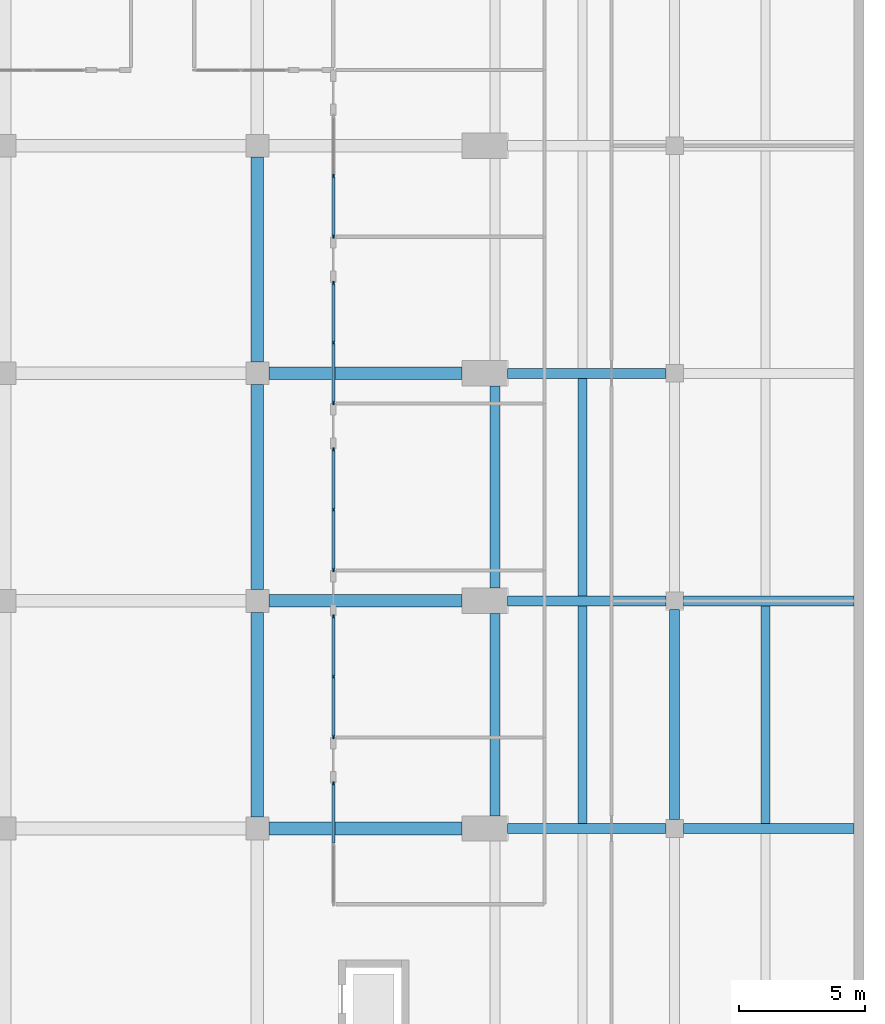
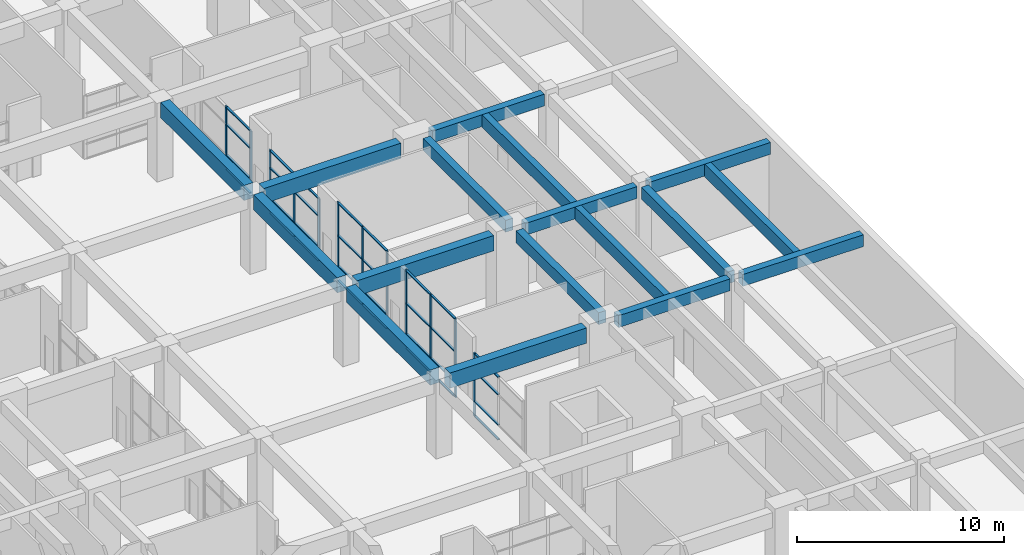
# One storey, part 8 of 29: 44 members, 17 beams, 5 elements without a shape of their own.
"""IFC4 building model written with IfcOpenShell, lengths in metres."""

from ifc_helpers import new_model, si_unit, direction, frame, origin, origin_2d, place, context, subcontext, project, spatial, rectangle, extrude, material, material_profile, profile_set, type_object, element, aggregate, save


model = new_model("IFC4")

# Units and contexts
model_context = context("Model", 3, precision=1e-05, world=origin(), true_north=direction((0.0, 1.0)))
body_context = subcontext(model_context, "Body", "Model", "MODEL_VIEW")
ifc_project = project(units=[si_unit("LENGTHUNIT", "METRE"), si_unit("AREAUNIT", "SQUARE_METRE"), si_unit("VOLUMEUNIT", "CUBIC_METRE"), si_unit("PLANEANGLEUNIT", "RADIAN"), si_unit("MASSUNIT", "GRAM", prefix="KILO")], contexts=[model_context])

# Site, building, storey
site_placement = place(None, origin())
site = spatial("IfcSite", under=ifc_project, at=site_placement, CompositionType="ELEMENT")
building_placement = place(site_placement, origin())
building = spatial("IfcBuilding", under=site, at=building_placement, Name="Elmora Arch Market Hall", CompositionType="ELEMENT")
storey_placement = place(building_placement, frame((0.0, 0.0, -5.0)))
storey = spatial("IfcBuildingStorey", under=building, at=storey_placement, Name="LG", CompositionType="ELEMENT", Elevation=-5.0)

# Beams
ifc_material_1 = material(Name="Concrete C32/40", Category="concrete")
ifc_material_profile_1 = material_profile(ifc_material_1, rectangle(XDim=0.5, YDim=0.89990234375, at=origin_2d()), Name="Basement girder 500x900")
ifc_profile_set_1 = profile_set([ifc_material_profile_1], Name="Concrete C32/40")
beam_type_1 = type_object("IfcBeamType", Name="Basement girder 500x900", PredefinedType="BEAM", material=ifc_profile_set_1)
for number, where, z_axis, x_axis, name in (
    (1, (34.449951171875, 54.0, 4.199951171875), (1.0, 0.0, 0.0), (0.0, 1.0, 0.0), "Basement girder HR4 LG.3"),
    (2, (34.449951171875, 63.0, 4.199951171875), (1.0, 0.0, 0.0), (0.0, 1.0, 0.0), "Basement girder HR5 LG.3"),
    (3, (34.449951171875, 72.0, 4.199951171875), (1.0, 0.0, 0.0), (0.0, 1.0, 0.0), "Basement girder HR6 LG.3"),
):
    element("IfcBeam", number, at=place(storey_placement, frame(where, z_axis=z_axis, x_axis=x_axis)), inside=storey, type_object=beam_type_1, Name=name, PredefinedType="BEAM", context=body_context, shape_type="SweptSolid", body=[
        extrude(rectangle(XDim=0.5, YDim=0.89990234375, at=origin_2d()), origin(), (0.0, 0.0, 1.0), 7.650146484375),
    ])
for number, where, z_axis, x_axis, name in (
    (4, (34.0, 54.449951171875, 4.199951171875), (0.0, 1.0, 0.0), (-1.0, 0.0, 0.0), "Basement girder HC2 LG.4"),
    (5, (34.0, 63.449951171875, 4.199951171875), (0.0, 1.0, 0.0), (-1.0, 0.0, 0.0), "Basement girder HC2 LG.5"),
    (6, (34.0, 72.449951171875, 4.199951171875), (0.0, 1.0, 0.0), (-1.0, 0.0, 0.0), "Basement girder HC2 LG.6"),
):
    element("IfcBeam", number, at=place(storey_placement, frame(where, z_axis=z_axis, x_axis=x_axis)), inside=storey, type_object=beam_type_1, Name=name, PredefinedType="BEAM", context=body_context, shape_type="SweptSolid", body=[
        extrude(rectangle(XDim=0.5, YDim=0.89990234375, at=origin_2d()), origin(), (0.0, 0.0, 1.0), 8.10009765625),
    ])

# Curtain wall, member
ifc_material_2 = material(Name="Aluminium", Category="aluminium")
curtain_wall_type = type_object("IfcCurtainWallType", Name="Lower ground shopfront curtain wall", PredefinedType="NOTDEFINED", material=ifc_material_2)
curtain_wall_1_placement = place(storey_placement, origin())
curtain_wall_1 = element("IfcCurtainWall", 7, at=curtain_wall_1_placement, inside=storey, type_object=curtain_wall_type, Name="Lower ground shopfront E1", PredefinedType="NOTDEFINED")
ifc_material_3 = material(Name="Aluminium", Category="aluminium")
ifc_material_profile_2 = material_profile(ifc_material_3, rectangle(XDim=0.06005859375, YDim=0.159912109375, at=origin_2d()), Name="AL 60x160")
ifc_profile_set_2 = profile_set([ifc_material_profile_2], Name="Aluminium")
member_type_1 = type_object("IfcMemberType", Name="Mullion 60x160", PredefinedType="MULLION", material=ifc_profile_set_2)
member_1_placement = place(storey_placement, frame((37.0, 55.77001953125, 0.0), z_axis=(0.0, 0.0, 1.0), x_axis=(-1.0, 0.0, 0.0)))
member_1 = element("IfcMember", 8, at=member_1_placement, type_object=member_type_1, Name="CW6 mullion 3", PredefinedType="MULLION", context=body_context, shape_type="SweptSolid", body=[
    extrude(rectangle(XDim=0.06005859375, YDim=0.159912109375, at=origin_2d()), origin(), (0.0, 0.0, 1.0), 3.75),
])

# Curtain wall, members
curtain_wall_2_placement = place(storey_placement, origin())
curtain_wall_2 = element("IfcCurtainWall", 9, at=curtain_wall_2_placement, inside=storey, type_object=curtain_wall_type, Name="Lower ground shopfront E2", PredefinedType="NOTDEFINED")
member_2_placement = place(storey_placement, frame((37.0, 57.6298828125, 0.0), z_axis=(0.0, 0.0, 1.0), x_axis=(-1.0, 0.0, 0.0)))
member_2 = element("IfcMember", 10, at=member_2_placement, type_object=member_type_1, Name="CW6 mullion 1", PredefinedType="MULLION", context=body_context, shape_type="SweptSolid", body=[
    extrude(rectangle(XDim=0.06005859375, YDim=0.159912109375, at=origin_2d()), origin(), (0.0, 0.0, 1.0), 4.64990234375),
])
member_3_placement = place(storey_placement, frame((37.0, 60.0, 0.0), z_axis=(0.0, 0.0, 1.0), x_axis=(-1.0, 0.0, 0.0)))
member_3 = element("IfcMember", 11, at=member_3_placement, type_object=member_type_1, Name="CW6 mullion 2", PredefinedType="MULLION", context=body_context, shape_type="SweptSolid", body=[
    extrude(rectangle(XDim=0.06005859375, YDim=0.159912109375, at=origin_2d()), origin(), (0.0, 0.0, 1.0), 4.64990234375),
])
member_4_placement = place(storey_placement, frame((37.0, 62.3701171875, 0.0), z_axis=(0.0, 0.0, 1.0), x_axis=(-1.0, 0.0, 0.0)))
member_4 = element("IfcMember", 12, at=member_4_placement, type_object=member_type_1, Name="CW6 mullion 3", PredefinedType="MULLION", context=body_context, shape_type="SweptSolid", body=[
    extrude(rectangle(XDim=0.06005859375, YDim=0.159912109375, at=origin_2d()), origin(), (0.0, 0.0, 1.0), 4.64990234375),
])

curtain_wall_3_placement = place(storey_placement, origin())
curtain_wall_3 = element("IfcCurtainWall", 13, at=curtain_wall_3_placement, inside=storey, type_object=curtain_wall_type, Name="Lower ground shopfront E3", PredefinedType="NOTDEFINED")
member_5_placement = place(storey_placement, frame((37.0, 64.22998046875, 0.0), z_axis=(0.0, 0.0, 1.0), x_axis=(-1.0, 0.0, 0.0)))
member_5 = element("IfcMember", 14, at=member_5_placement, type_object=member_type_1, Name="CW6 mullion 1", PredefinedType="MULLION", context=body_context, shape_type="SweptSolid", body=[
    extrude(rectangle(XDim=0.06005859375, YDim=0.159912109375, at=origin_2d()), origin(), (0.0, 0.0, 1.0), 4.64990234375),
])
member_6_placement = place(storey_placement, frame((37.0, 66.60009765625, 0.0), z_axis=(0.0, 0.0, 1.0), x_axis=(-1.0, 0.0, 0.0)))
member_6 = element("IfcMember", 15, at=member_6_placement, type_object=member_type_1, Name="CW6 mullion 2", PredefinedType="MULLION", context=body_context, shape_type="SweptSolid", body=[
    extrude(rectangle(XDim=0.06005859375, YDim=0.159912109375, at=origin_2d()), origin(), (0.0, 0.0, 1.0), 4.64990234375),
])
member_7_placement = place(storey_placement, frame((37.0, 68.969970703125, 0.0), z_axis=(0.0, 0.0, 1.0), x_axis=(-1.0, 0.0, 0.0)))
member_7 = element("IfcMember", 16, at=member_7_placement, type_object=member_type_1, Name="CW6 mullion 3", PredefinedType="MULLION", context=body_context, shape_type="SweptSolid", body=[
    extrude(rectangle(XDim=0.06005859375, YDim=0.159912109375, at=origin_2d()), origin(), (0.0, 0.0, 1.0), 4.64990234375),
])

curtain_wall_4_placement = place(storey_placement, origin())
curtain_wall_4 = element("IfcCurtainWall", 17, at=curtain_wall_4_placement, inside=storey, type_object=curtain_wall_type, Name="Lower ground shopfront E4", PredefinedType="NOTDEFINED")
member_8_placement = place(storey_placement, frame((37.0, 70.830078125, 0.0), z_axis=(0.0, 0.0, 1.0), x_axis=(-1.0, 0.0, 0.0)))
member_8 = element("IfcMember", 18, at=member_8_placement, type_object=member_type_1, Name="CW6 mullion 1", PredefinedType="MULLION", context=body_context, shape_type="SweptSolid", body=[
    extrude(rectangle(XDim=0.06005859375, YDim=0.159912109375, at=origin_2d()), origin(), (0.0, 0.0, 1.0), 3.75),
])
member_9_placement = place(storey_placement, frame((37.0, 73.199951171875, 0.0), z_axis=(0.0, 0.0, 1.0), x_axis=(-1.0, 0.0, 0.0)))
member_9 = element("IfcMember", 19, at=member_9_placement, type_object=member_type_1, Name="CW6 mullion 2", PredefinedType="MULLION", context=body_context, shape_type="SweptSolid", body=[
    extrude(rectangle(XDim=0.06005859375, YDim=0.159912109375, at=origin_2d()), origin(), (0.0, 0.0, 1.0), 3.75),
])
member_10_placement = place(storey_placement, frame((37.0, 75.570068359375, 0.0), z_axis=(0.0, 0.0, 1.0), x_axis=(-1.0, 0.0, 0.0)))
member_10 = element("IfcMember", 20, at=member_10_placement, type_object=member_type_1, Name="CW6 mullion 3", PredefinedType="MULLION", context=body_context, shape_type="SweptSolid", body=[
    extrude(rectangle(XDim=0.06005859375, YDim=0.159912109375, at=origin_2d()), origin(), (0.0, 0.0, 1.0), 3.75),
])

curtain_wall_5_placement = place(storey_placement, origin())
curtain_wall_5 = element("IfcCurtainWall", 21, at=curtain_wall_5_placement, inside=storey, type_object=curtain_wall_type, Name="Lower ground shopfront E5", PredefinedType="NOTDEFINED")
member_11_placement = place(storey_placement, frame((37.0, 77.429931640625, 0.0), z_axis=(0.0, 0.0, 1.0), x_axis=(-1.0, 0.0, 0.0)))
member_11 = element("IfcMember", 22, at=member_11_placement, type_object=member_type_1, Name="CW6 mullion 1", PredefinedType="MULLION", context=body_context, shape_type="SweptSolid", body=[
    extrude(rectangle(XDim=0.06005859375, YDim=0.159912109375, at=origin_2d()), origin(), (0.0, 0.0, 1.0), 3.75),
])
member_12_placement = place(storey_placement, frame((37.0, 79.800048828125, 0.0), z_axis=(0.0, 0.0, 1.0), x_axis=(-1.0, 0.0, 0.0)))
member_12 = element("IfcMember", 23, at=member_12_placement, type_object=member_type_1, Name="CW6 mullion 2", PredefinedType="MULLION", context=body_context, shape_type="SweptSolid", body=[
    extrude(rectangle(XDim=0.06005859375, YDim=0.159912109375, at=origin_2d()), origin(), (0.0, 0.0, 1.0), 3.75),
])

# Member
ifc_material_4 = material(Name="Aluminium", Category="aluminium")
ifc_material_profile_3 = material_profile(ifc_material_4, rectangle(XDim=0.1201171875, YDim=0.06005859375, at=origin_2d()), Name="AL 120x60")
ifc_profile_set_3 = profile_set([ifc_material_profile_3], Name="Aluminium")
member_type_2 = type_object("IfcMemberType", Name="Transom 120x60", PredefinedType="USERDEFINED", material=ifc_profile_set_3)
member_13_placement = place(storey_placement, frame((37.0, 53.429931640625, 0.030029296875), z_axis=(0.0, 1.0, 0.0), x_axis=(-1.0, 0.0, 0.0)))
member_13 = element("IfcMember", 24, at=member_13_placement, type_object=member_type_2, Name="CW6 transom 2.1", ObjectType="TRANSOM", PredefinedType="USERDEFINED", context=body_context, shape_type="SweptSolid", body=[
    extrude(rectangle(XDim=0.1201171875, YDim=0.06005859375, at=origin_2d()), origin(), (0.0, 0.0, 1.0), 2.31005859375),
])

member_14_placement = place(storey_placement, frame((37.0, 53.429931640625, 0.89990234375), z_axis=(0.0, 1.0, 0.0), x_axis=(-1.0, 0.0, 0.0)))
member_14 = element("IfcMember", 25, at=member_14_placement, type_object=member_type_2, Name="CW6 transom 2.2", ObjectType="TRANSOM", PredefinedType="USERDEFINED", context=body_context, shape_type="SweptSolid", body=[
    extrude(rectangle(XDim=0.1201171875, YDim=0.06005859375, at=origin_2d()), origin(), (0.0, 0.0, 1.0), 2.31005859375),
])

member_15_placement = place(storey_placement, frame((37.0, 53.429931640625, 2.699951171875), z_axis=(0.0, 1.0, 0.0), x_axis=(-1.0, 0.0, 0.0)))
member_15 = element("IfcMember", 26, at=member_15_placement, type_object=member_type_2, Name="CW6 transom 2.3", ObjectType="TRANSOM", PredefinedType="USERDEFINED", context=body_context, shape_type="SweptSolid", body=[
    extrude(rectangle(XDim=0.1201171875, YDim=0.06005859375, at=origin_2d()), origin(), (0.0, 0.0, 1.0), 2.31005859375),
])

member_16_placement = place(storey_placement, frame((37.0, 53.429931640625, 3.719970703125), z_axis=(0.0, 1.0, 0.0), x_axis=(-1.0, 0.0, 0.0)))
member_16 = element("IfcMember", 27, at=member_16_placement, type_object=member_type_2, Name="CW6 transom 2.4", ObjectType="TRANSOM", PredefinedType="USERDEFINED", context=body_context, shape_type="SweptSolid", body=[
    extrude(rectangle(XDim=0.1201171875, YDim=0.06005859375, at=origin_2d()), origin(), (0.0, 0.0, 1.0), 2.31005859375),
])

aggregate(curtain_wall_1, [member_1, member_13, member_14, member_15, member_16])

member_17_placement = place(storey_placement, frame((37.0, 57.659912109375, 0.030029296875), z_axis=(0.0, 1.0, 0.0), x_axis=(-1.0, 0.0, 0.0)))
member_17 = element("IfcMember", 28, at=member_17_placement, type_object=member_type_2, Name="CW6 transom 1.1", ObjectType="TRANSOM", PredefinedType="USERDEFINED", context=body_context, shape_type="SweptSolid", body=[
    extrude(rectangle(XDim=0.1201171875, YDim=0.06005859375, at=origin_2d()), origin(), (0.0, 0.0, 1.0), 2.31005859375),
])

member_18_placement = place(storey_placement, frame((37.0, 57.659912109375, 0.89990234375), z_axis=(0.0, 1.0, 0.0), x_axis=(-1.0, 0.0, 0.0)))
member_18 = element("IfcMember", 29, at=member_18_placement, type_object=member_type_2, Name="CW6 transom 1.2", ObjectType="TRANSOM", PredefinedType="USERDEFINED", context=body_context, shape_type="SweptSolid", body=[
    extrude(rectangle(XDim=0.1201171875, YDim=0.06005859375, at=origin_2d()), origin(), (0.0, 0.0, 1.0), 2.31005859375),
])

member_19_placement = place(storey_placement, frame((37.0, 57.659912109375, 2.699951171875), z_axis=(0.0, 1.0, 0.0), x_axis=(-1.0, 0.0, 0.0)))
member_19 = element("IfcMember", 30, at=member_19_placement, type_object=member_type_2, Name="CW6 transom 1.3", ObjectType="TRANSOM", PredefinedType="USERDEFINED", context=body_context, shape_type="SweptSolid", body=[
    extrude(rectangle(XDim=0.1201171875, YDim=0.06005859375, at=origin_2d()), origin(), (0.0, 0.0, 1.0), 2.31005859375),
])

member_20_placement = place(storey_placement, frame((37.0, 57.659912109375, 4.6201171875), z_axis=(0.0, 1.0, 0.0), x_axis=(-1.0, 0.0, 0.0)))
member_20 = element("IfcMember", 31, at=member_20_placement, type_object=member_type_2, Name="CW6 transom 1.4", ObjectType="TRANSOM", PredefinedType="USERDEFINED", context=body_context, shape_type="SweptSolid", body=[
    extrude(rectangle(XDim=0.1201171875, YDim=0.06005859375, at=origin_2d()), origin(), (0.0, 0.0, 1.0), 2.31005859375),
])

member_21_placement = place(storey_placement, frame((37.0, 60.030029296875, 0.030029296875), z_axis=(0.0, 1.0, 0.0), x_axis=(-1.0, 0.0, 0.0)))
member_21 = element("IfcMember", 32, at=member_21_placement, type_object=member_type_2, Name="CW6 transom 2.1", ObjectType="TRANSOM", PredefinedType="USERDEFINED", context=body_context, shape_type="SweptSolid", body=[
    extrude(rectangle(XDim=0.1201171875, YDim=0.06005859375, at=origin_2d()), origin(), (0.0, 0.0, 1.0), 2.31005859375),
])

member_22_placement = place(storey_placement, frame((37.0, 60.030029296875, 0.89990234375), z_axis=(0.0, 1.0, 0.0), x_axis=(-1.0, 0.0, 0.0)))
member_22 = element("IfcMember", 33, at=member_22_placement, type_object=member_type_2, Name="CW6 transom 2.2", ObjectType="TRANSOM", PredefinedType="USERDEFINED", context=body_context, shape_type="SweptSolid", body=[
    extrude(rectangle(XDim=0.1201171875, YDim=0.06005859375, at=origin_2d()), origin(), (0.0, 0.0, 1.0), 2.31005859375),
])

member_23_placement = place(storey_placement, frame((37.0, 60.030029296875, 2.699951171875), z_axis=(0.0, 1.0, 0.0), x_axis=(-1.0, 0.0, 0.0)))
member_23 = element("IfcMember", 34, at=member_23_placement, type_object=member_type_2, Name="CW6 transom 2.3", ObjectType="TRANSOM", PredefinedType="USERDEFINED", context=body_context, shape_type="SweptSolid", body=[
    extrude(rectangle(XDim=0.1201171875, YDim=0.06005859375, at=origin_2d()), origin(), (0.0, 0.0, 1.0), 2.31005859375),
])

member_24_placement = place(storey_placement, frame((37.0, 60.030029296875, 4.6201171875), z_axis=(0.0, 1.0, 0.0), x_axis=(-1.0, 0.0, 0.0)))
member_24 = element("IfcMember", 35, at=member_24_placement, type_object=member_type_2, Name="CW6 transom 2.4", ObjectType="TRANSOM", PredefinedType="USERDEFINED", context=body_context, shape_type="SweptSolid", body=[
    extrude(rectangle(XDim=0.1201171875, YDim=0.06005859375, at=origin_2d()), origin(), (0.0, 0.0, 1.0), 2.31005859375),
])

aggregate(curtain_wall_2, [member_2, member_3, member_4, member_17, member_18, member_19, member_20, member_21, member_22, member_23, member_24])

member_25_placement = place(storey_placement, frame((37.0, 64.260009765625, 0.030029296875), z_axis=(0.0, 1.0, 0.0), x_axis=(-1.0, 0.0, 0.0)))
member_25 = element("IfcMember", 36, at=member_25_placement, type_object=member_type_2, Name="CW6 transom 1.1", ObjectType="TRANSOM", PredefinedType="USERDEFINED", context=body_context, shape_type="SweptSolid", body=[
    extrude(rectangle(XDim=0.1201171875, YDim=0.06005859375, at=origin_2d()), origin(), (0.0, 0.0, 1.0), 2.31005859375),
])

member_26_placement = place(storey_placement, frame((37.0, 64.260009765625, 0.89990234375), z_axis=(0.0, 1.0, 0.0), x_axis=(-1.0, 0.0, 0.0)))
member_26 = element("IfcMember", 37, at=member_26_placement, type_object=member_type_2, Name="CW6 transom 1.2", ObjectType="TRANSOM", PredefinedType="USERDEFINED", context=body_context, shape_type="SweptSolid", body=[
    extrude(rectangle(XDim=0.1201171875, YDim=0.06005859375, at=origin_2d()), origin(), (0.0, 0.0, 1.0), 2.31005859375),
])

member_27_placement = place(storey_placement, frame((37.0, 64.260009765625, 2.699951171875), z_axis=(0.0, 1.0, 0.0), x_axis=(-1.0, 0.0, 0.0)))
member_27 = element("IfcMember", 38, at=member_27_placement, type_object=member_type_2, Name="CW6 transom 1.3", ObjectType="TRANSOM", PredefinedType="USERDEFINED", context=body_context, shape_type="SweptSolid", body=[
    extrude(rectangle(XDim=0.1201171875, YDim=0.06005859375, at=origin_2d()), origin(), (0.0, 0.0, 1.0), 2.31005859375),
])

member_28_placement = place(storey_placement, frame((37.0, 64.260009765625, 4.6201171875), z_axis=(0.0, 1.0, 0.0), x_axis=(-1.0, 0.0, 0.0)))
member_28 = element("IfcMember", 39, at=member_28_placement, type_object=member_type_2, Name="CW6 transom 1.4", ObjectType="TRANSOM", PredefinedType="USERDEFINED", context=body_context, shape_type="SweptSolid", body=[
    extrude(rectangle(XDim=0.1201171875, YDim=0.06005859375, at=origin_2d()), origin(), (0.0, 0.0, 1.0), 2.31005859375),
])

member_29_placement = place(storey_placement, frame((37.0, 66.6298828125, 0.030029296875), z_axis=(0.0, 1.0, 0.0), x_axis=(-1.0, 0.0, 0.0)))
member_29 = element("IfcMember", 40, at=member_29_placement, type_object=member_type_2, Name="CW6 transom 2.1", ObjectType="TRANSOM", PredefinedType="USERDEFINED", context=body_context, shape_type="SweptSolid", body=[
    extrude(rectangle(XDim=0.1201171875, YDim=0.06005859375, at=origin_2d()), origin(), (0.0, 0.0, 1.0), 2.31005859375),
])

member_30_placement = place(storey_placement, frame((37.0, 66.6298828125, 0.89990234375), z_axis=(0.0, 1.0, 0.0), x_axis=(-1.0, 0.0, 0.0)))
member_30 = element("IfcMember", 41, at=member_30_placement, type_object=member_type_2, Name="CW6 transom 2.2", ObjectType="TRANSOM", PredefinedType="USERDEFINED", context=body_context, shape_type="SweptSolid", body=[
    extrude(rectangle(XDim=0.1201171875, YDim=0.06005859375, at=origin_2d()), origin(), (0.0, 0.0, 1.0), 2.31005859375),
])

member_31_placement = place(storey_placement, frame((37.0, 66.6298828125, 2.699951171875), z_axis=(0.0, 1.0, 0.0), x_axis=(-1.0, 0.0, 0.0)))
member_31 = element("IfcMember", 42, at=member_31_placement, type_object=member_type_2, Name="CW6 transom 2.3", ObjectType="TRANSOM", PredefinedType="USERDEFINED", context=body_context, shape_type="SweptSolid", body=[
    extrude(rectangle(XDim=0.1201171875, YDim=0.06005859375, at=origin_2d()), origin(), (0.0, 0.0, 1.0), 2.31005859375),
])

member_32_placement = place(storey_placement, frame((37.0, 66.6298828125, 4.6201171875), z_axis=(0.0, 1.0, 0.0), x_axis=(-1.0, 0.0, 0.0)))
member_32 = element("IfcMember", 43, at=member_32_placement, type_object=member_type_2, Name="CW6 transom 2.4", ObjectType="TRANSOM", PredefinedType="USERDEFINED", context=body_context, shape_type="SweptSolid", body=[
    extrude(rectangle(XDim=0.1201171875, YDim=0.06005859375, at=origin_2d()), origin(), (0.0, 0.0, 1.0), 2.31005859375),
])

aggregate(curtain_wall_3, [member_5, member_6, member_7, member_25, member_26, member_27, member_28, member_29, member_30, member_31, member_32])

member_33_placement = place(storey_placement, frame((37.0, 70.860107421875, 0.030029296875), z_axis=(0.0, 1.0, 0.0), x_axis=(-1.0, 0.0, 0.0)))
member_33 = element("IfcMember", 44, at=member_33_placement, type_object=member_type_2, Name="CW6 transom 1.1", ObjectType="TRANSOM", PredefinedType="USERDEFINED", context=body_context, shape_type="SweptSolid", body=[
    extrude(rectangle(XDim=0.1201171875, YDim=0.06005859375, at=origin_2d()), origin(), (0.0, 0.0, 1.0), 2.309814453125),
])

member_34_placement = place(storey_placement, frame((37.0, 70.860107421875, 0.89990234375), z_axis=(0.0, 1.0, 0.0), x_axis=(-1.0, 0.0, 0.0)))
member_34 = element("IfcMember", 45, at=member_34_placement, type_object=member_type_2, Name="CW6 transom 1.2", ObjectType="TRANSOM", PredefinedType="USERDEFINED", context=body_context, shape_type="SweptSolid", body=[
    extrude(rectangle(XDim=0.1201171875, YDim=0.06005859375, at=origin_2d()), origin(), (0.0, 0.0, 1.0), 2.309814453125),
])

member_35_placement = place(storey_placement, frame((37.0, 70.860107421875, 2.699951171875), z_axis=(0.0, 1.0, 0.0), x_axis=(-1.0, 0.0, 0.0)))
member_35 = element("IfcMember", 46, at=member_35_placement, type_object=member_type_2, Name="CW6 transom 1.3", ObjectType="TRANSOM", PredefinedType="USERDEFINED", context=body_context, shape_type="SweptSolid", body=[
    extrude(rectangle(XDim=0.1201171875, YDim=0.06005859375, at=origin_2d()), origin(), (0.0, 0.0, 1.0), 2.309814453125),
])

member_36_placement = place(storey_placement, frame((37.0, 70.860107421875, 3.719970703125), z_axis=(0.0, 1.0, 0.0), x_axis=(-1.0, 0.0, 0.0)))
member_36 = element("IfcMember", 47, at=member_36_placement, type_object=member_type_2, Name="CW6 transom 1.4", ObjectType="TRANSOM", PredefinedType="USERDEFINED", context=body_context, shape_type="SweptSolid", body=[
    extrude(rectangle(XDim=0.1201171875, YDim=0.06005859375, at=origin_2d()), origin(), (0.0, 0.0, 1.0), 2.309814453125),
])

member_37_placement = place(storey_placement, frame((37.0, 73.22998046875, 0.030029296875), z_axis=(0.0, 1.0, 0.0), x_axis=(-1.0, 0.0, 0.0)))
member_37 = element("IfcMember", 48, at=member_37_placement, type_object=member_type_2, Name="CW6 transom 2.1", ObjectType="TRANSOM", PredefinedType="USERDEFINED", context=body_context, shape_type="SweptSolid", body=[
    extrude(rectangle(XDim=0.1201171875, YDim=0.06005859375, at=origin_2d()), origin(), (0.0, 0.0, 1.0), 2.31005859375),
])

member_38_placement = place(storey_placement, frame((37.0, 73.22998046875, 0.89990234375), z_axis=(0.0, 1.0, 0.0), x_axis=(-1.0, 0.0, 0.0)))
member_38 = element("IfcMember", 49, at=member_38_placement, type_object=member_type_2, Name="CW6 transom 2.2", ObjectType="TRANSOM", PredefinedType="USERDEFINED", context=body_context, shape_type="SweptSolid", body=[
    extrude(rectangle(XDim=0.1201171875, YDim=0.06005859375, at=origin_2d()), origin(), (0.0, 0.0, 1.0), 2.31005859375),
])

member_39_placement = place(storey_placement, frame((37.0, 73.22998046875, 2.699951171875), z_axis=(0.0, 1.0, 0.0), x_axis=(-1.0, 0.0, 0.0)))
member_39 = element("IfcMember", 50, at=member_39_placement, type_object=member_type_2, Name="CW6 transom 2.3", ObjectType="TRANSOM", PredefinedType="USERDEFINED", context=body_context, shape_type="SweptSolid", body=[
    extrude(rectangle(XDim=0.1201171875, YDim=0.06005859375, at=origin_2d()), origin(), (0.0, 0.0, 1.0), 2.31005859375),
])

member_40_placement = place(storey_placement, frame((37.0, 73.22998046875, 3.719970703125), z_axis=(0.0, 1.0, 0.0), x_axis=(-1.0, 0.0, 0.0)))
member_40 = element("IfcMember", 51, at=member_40_placement, type_object=member_type_2, Name="CW6 transom 2.4", ObjectType="TRANSOM", PredefinedType="USERDEFINED", context=body_context, shape_type="SweptSolid", body=[
    extrude(rectangle(XDim=0.1201171875, YDim=0.06005859375, at=origin_2d()), origin(), (0.0, 0.0, 1.0), 2.31005859375),
])

aggregate(curtain_wall_4, [member_8, member_9, member_10, member_33, member_34, member_35, member_36, member_37, member_38, member_39, member_40])

member_41_placement = place(storey_placement, frame((37.0, 77.4599609375, 0.030029296875), z_axis=(0.0, 1.0, 0.0), x_axis=(-1.0, 0.0, 0.0)))
member_41 = element("IfcMember", 52, at=member_41_placement, type_object=member_type_2, Name="CW6 transom 1.1", ObjectType="TRANSOM", PredefinedType="USERDEFINED", context=body_context, shape_type="SweptSolid", body=[
    extrude(rectangle(XDim=0.1201171875, YDim=0.06005859375, at=origin_2d()), origin(), (0.0, 0.0, 1.0), 2.31005859375),
])

member_42_placement = place(storey_placement, frame((37.0, 77.4599609375, 0.89990234375), z_axis=(0.0, 1.0, 0.0), x_axis=(-1.0, 0.0, 0.0)))
member_42 = element("IfcMember", 53, at=member_42_placement, type_object=member_type_2, Name="CW6 transom 1.2", ObjectType="TRANSOM", PredefinedType="USERDEFINED", context=body_context, shape_type="SweptSolid", body=[
    extrude(rectangle(XDim=0.1201171875, YDim=0.06005859375, at=origin_2d()), origin(), (0.0, 0.0, 1.0), 2.31005859375),
])

member_43_placement = place(storey_placement, frame((37.0, 77.4599609375, 2.699951171875), z_axis=(0.0, 1.0, 0.0), x_axis=(-1.0, 0.0, 0.0)))
member_43 = element("IfcMember", 54, at=member_43_placement, type_object=member_type_2, Name="CW6 transom 1.3", ObjectType="TRANSOM", PredefinedType="USERDEFINED", context=body_context, shape_type="SweptSolid", body=[
    extrude(rectangle(XDim=0.1201171875, YDim=0.06005859375, at=origin_2d()), origin(), (0.0, 0.0, 1.0), 2.31005859375),
])

member_44_placement = place(storey_placement, frame((37.0, 77.4599609375, 3.719970703125), z_axis=(0.0, 1.0, 0.0), x_axis=(-1.0, 0.0, 0.0)))
member_44 = element("IfcMember", 55, at=member_44_placement, type_object=member_type_2, Name="CW6 transom 1.4", ObjectType="TRANSOM", PredefinedType="USERDEFINED", context=body_context, shape_type="SweptSolid", body=[
    extrude(rectangle(XDim=0.1201171875, YDim=0.06005859375, at=origin_2d()), origin(), (0.0, 0.0, 1.0), 2.31005859375),
])

aggregate(curtain_wall_5, [member_11, member_12, member_41, member_42, member_43, member_44])

# Beams
ifc_material_5 = material(Name="Concrete C32/40", Category="concrete")
ifc_material_profile_4 = material_profile(ifc_material_5, rectangle(XDim=0.39990234375, YDim=0.699951171875, at=origin_2d()), Name="Wing beam 400x700")
ifc_profile_set_4 = profile_set([ifc_material_profile_4], Name="Concrete C32/40")
beam_type_2 = type_object("IfcBeamType", Name="Wing beam 400x700", PredefinedType="BEAM", material=ifc_profile_set_4)
beam_1_placement = place(storey_placement, frame((43.89990234375, 54.0, 4.35009765625), z_axis=(1.0, 0.0, 0.0), x_axis=(0.0, 1.0, 0.0)))
element("IfcBeam", 56, at=beam_1_placement, inside=storey, type_object=beam_type_2, Name="Wing beam ER4 LG.1", PredefinedType="BEAM", context=body_context, shape_type="SweptSolid", body=[
    extrude(rectangle(XDim=0.39990234375, YDim=0.699951171875, at=origin_2d()), origin(), (0.0, 0.0, 1.0), 6.25),
])
beam_2_placement = place(storey_placement, frame((50.85009765625, 54.0, 4.35009765625), z_axis=(1.0, 0.0, 0.0), x_axis=(0.0, 1.0, 0.0)))
element("IfcBeam", 57, at=beam_2_placement, inside=storey, type_object=beam_type_2, Name="Wing beam ER4 LG.2", PredefinedType="BEAM", context=body_context, shape_type="SweptSolid", body=[
    extrude(rectangle(XDim=0.39990234375, YDim=0.699951171875, at=origin_2d()), origin(), (0.0, 0.0, 1.0), 6.75),
])
beam_3_placement = place(storey_placement, frame((43.89990234375, 63.0, 4.35009765625), z_axis=(1.0, 0.0, 0.0), x_axis=(0.0, 1.0, 0.0)))
element("IfcBeam", 58, at=beam_3_placement, inside=storey, type_object=beam_type_2, Name="Wing beam ER5 LG.1", PredefinedType="BEAM", context=body_context, shape_type="SweptSolid", body=[
    extrude(rectangle(XDim=0.39990234375, YDim=0.699951171875, at=origin_2d()), origin(), (0.0, 0.0, 1.0), 6.25),
])
beam_4_placement = place(storey_placement, frame((50.85009765625, 63.0, 4.35009765625), z_axis=(1.0, 0.0, 0.0), x_axis=(0.0, 1.0, 0.0)))
element("IfcBeam", 59, at=beam_4_placement, inside=storey, type_object=beam_type_2, Name="Wing beam ER5 LG.2", PredefinedType="BEAM", context=body_context, shape_type="SweptSolid", body=[
    extrude(rectangle(XDim=0.39990234375, YDim=0.699951171875, at=origin_2d()), origin(), (0.0, 0.0, 1.0), 6.75),
])
beam_5_placement = place(storey_placement, frame((43.89990234375, 72.0, 4.35009765625), z_axis=(1.0, 0.0, 0.0), x_axis=(0.0, 1.0, 0.0)))
element("IfcBeam", 60, at=beam_5_placement, inside=storey, type_object=beam_type_2, Name="Wing beam ER6 LG.1", PredefinedType="BEAM", context=body_context, shape_type="SweptSolid", body=[
    extrude(rectangle(XDim=0.39990234375, YDim=0.699951171875, at=origin_2d()), origin(), (0.0, 0.0, 1.0), 6.25),
])
beam_6_placement = place(storey_placement, frame((50.5, 54.35009765625, 4.35009765625), z_axis=(0.0, 1.0, 0.0), x_axis=(-1.0, 0.0, 0.0)))
element("IfcBeam", 61, at=beam_6_placement, inside=storey, type_object=beam_type_2, Name="Wing beam EG LG.4", PredefinedType="BEAM", context=body_context, shape_type="SweptSolid", body=[
    extrude(rectangle(XDim=0.39990234375, YDim=0.699951171875, at=origin_2d()), origin(), (0.0, 0.0, 1.0), 8.2998046875),
])
for number, where, z_axis, x_axis, name in (
    (62, (43.39990234375, 54.5, 4.35009765625), (0.0, 1.0, 0.0), (-1.0, 0.0, 0.0), "Wing beam EEB LG.4"),
    (63, (43.39990234375, 63.5, 4.35009765625), (0.0, 1.0, 0.0), (-1.0, 0.0, 0.0), "Wing beam EEB LG.5"),
):
    element("IfcBeam", number, at=place(storey_placement, frame(where, z_axis=z_axis, x_axis=x_axis)), inside=storey, type_object=beam_type_2, Name=name, PredefinedType="BEAM", context=body_context, shape_type="SweptSolid", body=[
        extrude(rectangle(XDim=0.39990234375, YDim=0.699951171875, at=origin_2d()), origin(), (0.0, 0.0, 1.0), 8.0),
    ])
ifc_material_6 = material(Name="Concrete C32/40", Category="concrete")
ifc_material_profile_5 = material_profile(ifc_material_6, rectangle(XDim=0.35009765625, YDim=0.75, at=origin_2d()), Name="Wing joist 350x750")
ifc_profile_set_5 = profile_set([ifc_material_profile_5], Name="Concrete C32/40")
beam_type_3 = type_object("IfcBeamType", Name="Wing joist 350x750", PredefinedType="JOIST", material=ifc_profile_set_5)
for number, where, z_axis, x_axis, name in (
    (64, (46.85009765625, 54.199951171875, 4.324951171875), (0.0, 1.0, 0.0), (-1.0, 0.0, 0.0), "Wing joist EJ1 LG.4"),
    (65, (46.85009765625, 63.199951171875, 4.324951171875), (0.0, 1.0, 0.0), (-1.0, 0.0, 0.0), "Wing joist EJ1 LG.5"),
    (66, (54.10009765625, 54.199951171875, 4.324951171875), (0.0, 1.0, 0.0), (-1.0, 0.0, 0.0), "Wing joist EJ2 LG.4"),
):
    element("IfcBeam", number, at=place(storey_placement, frame(where, z_axis=z_axis, x_axis=x_axis)), inside=storey, type_object=beam_type_3, Name=name, PredefinedType="JOIST", context=body_context, shape_type="SweptSolid", body=[
        extrude(rectangle(XDim=0.35009765625, YDim=0.75, at=origin_2d()), origin(), (0.0, 0.0, 1.0), 8.60009765625),
    ])

save(model, "model.ifc")
